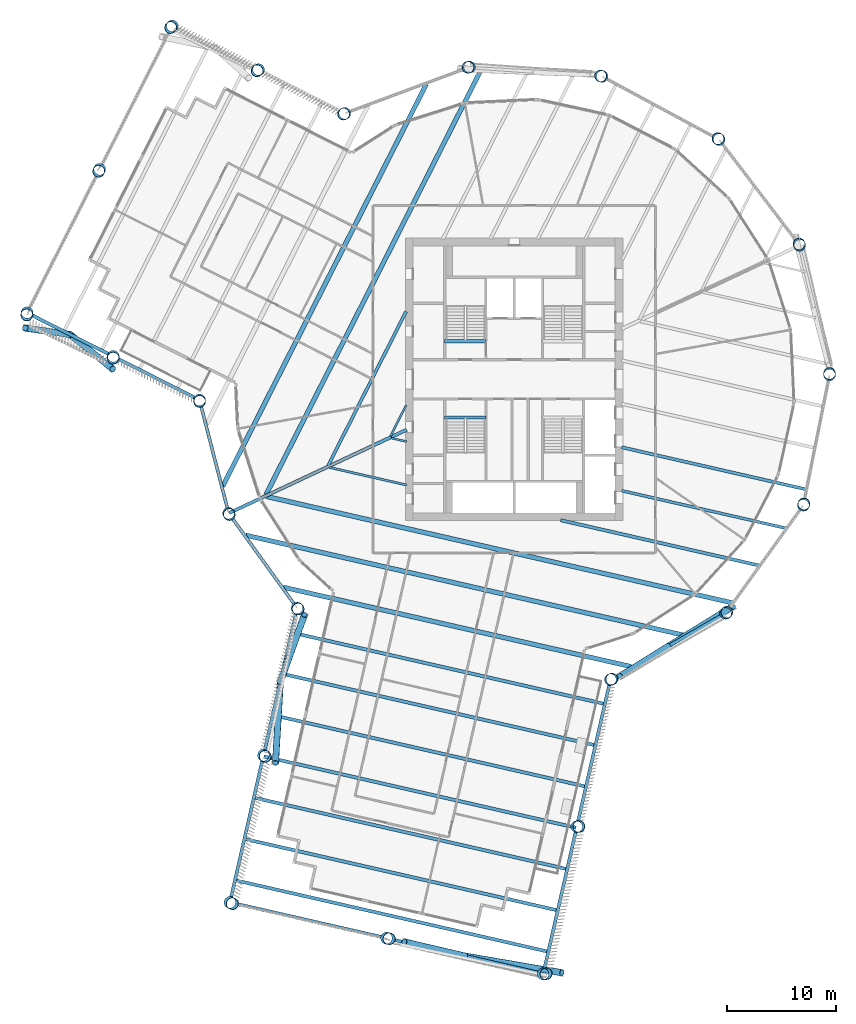
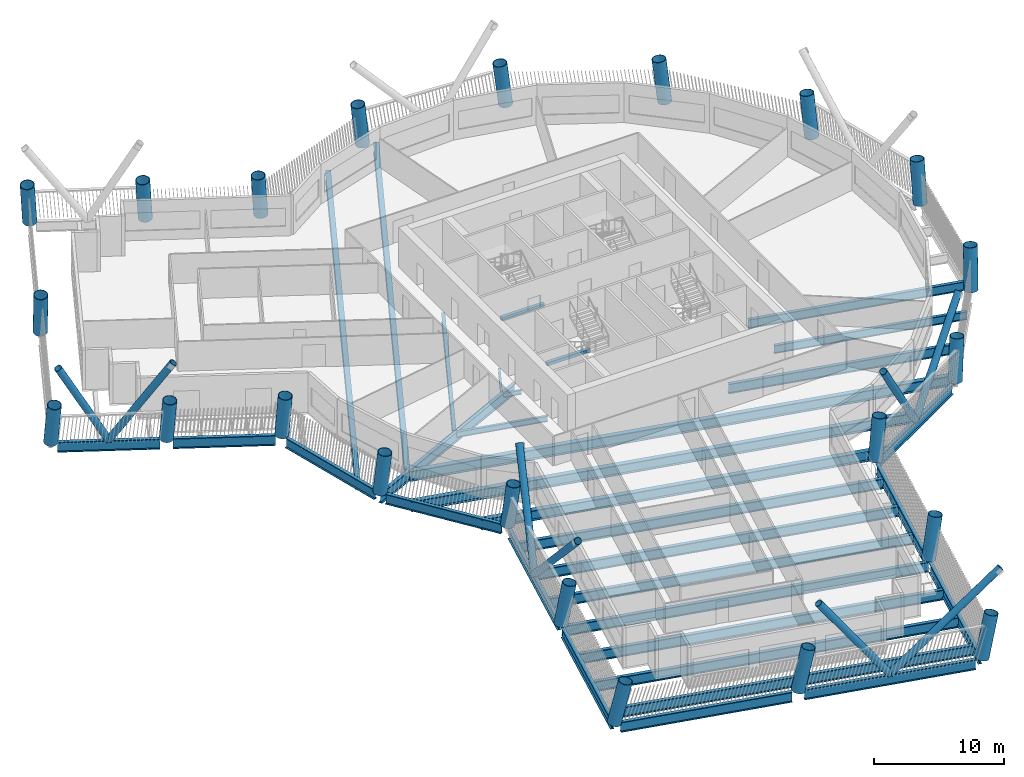
# One storey, part 1 of 21: 33 beams, 22 columns, 8 members.
"""IFC4 building model written with IfcOpenShell, lengths in metres."""

from ifc_helpers import new_model, si_unit, direction, frame, origin, origin_2d, place, context, subcontext, project, spatial, rectangle, hollow_circle, i_section, extrude, material, material_profile, profile_set, type_object, element, save


model = new_model("IFC4")

# Units and contexts
model_context = context("Model", 3, precision=1e-05, world=origin(), true_north=direction((0.0, 1.0)))
body_context = subcontext(model_context, "Body", "Model", "MODEL_VIEW")
ifc_project = project(units=[si_unit("LENGTHUNIT", "METRE"), si_unit("AREAUNIT", "SQUARE_METRE"), si_unit("VOLUMEUNIT", "CUBIC_METRE"), si_unit("PLANEANGLEUNIT", "RADIAN"), si_unit("MASSUNIT", "GRAM", prefix="KILO")], contexts=[model_context])

# Site, building, storey
site_placement = place(None, origin())
site = spatial("IfcSite", under=ifc_project, at=site_placement, CompositionType="ELEMENT")
building_placement = place(site_placement, origin())
building = spatial("IfcBuilding", under=site, at=building_placement, Name="Tarsis Ring Headquarters", CompositionType="ELEMENT")
storey_placement = place(building_placement, frame((0.0, 0.0, 171.0)))
storey = spatial("IfcBuildingStorey", under=building, at=storey_placement, Name="L39", CompositionType="ELEMENT", Elevation=171.0)

# Columns
ifc_material_1 = material(Name="Structural steel S355", Category="steel")
ifc_material_profile_1 = material_profile(ifc_material_1, hollow_circle(Radius=0.558837890625, WallThickness=0.044921875, at=origin_2d()), Name="CHS 1118x45")
ifc_profile_set_1 = profile_set([ifc_material_profile_1], Name="Structural steel S355")
column_type = type_object("IfcColumnType", Name="XC Exo column CHS 1118x45", PredefinedType="COLUMN", material=ifc_profile_set_1)
for number, where, z_axis, x_axis, name in (
    (1, (-26.296875, -12.3408203125, 0.0009765625), (0.050202371086, -0.104821555489, 0.993223118661), (0.901898576631, 0.431947864297, 0.0), "Exo column XC4 F1"),
    (2, (-19.991943359375, -21.07470703125, 0.0009765625), (0.084915058077, -0.079316263039, 0.993226239751), (0.682604325384, 0.730788160117, 0.0), "Exo column XC4 AK"),
):
    element("IfcColumn", number, at=place(storey_placement, frame(where, z_axis=z_axis, x_axis=x_axis)), inside=storey, type_object=column_type, Name=name, PredefinedType="COLUMN", context=body_context, shape_type="SweptSolid", body=[
        extrude(hollow_circle(Radius=0.558837890625, WallThickness=0.044921875, at=origin_2d()), origin(), (0.0, 0.0, 1.0), 3.924560546875),
    ])
column_1_placement = place(storey_placement, frame((-23.0859375, -34.628173828125, 0.001220703125), z_axis=(0.138261455544, -0.090629828098, 0.986240337935), x_axis=(0.548215579658, 0.836337060174, 0.0)))
element("IfcColumn", 3, at=column_1_placement, inside=storey, type_object=column_type, Name="Exo column XC4 AI1", PredefinedType="COLUMN", context=body_context, shape_type="SweptSolid", body=[
    extrude(hollow_circle(Radius=0.558837890625, WallThickness=0.044921875, at=origin_2d()), origin(), (0.0, 0.0, 1.0), 3.951904296875),
])
column_2_placement = place(storey_placement, frame((-26.18017578125, -48.181640625, 0.001708984375), z_axis=(0.190324495585, -0.101494162062, 0.976460711677), x_axis=(0.470544070685, 0.882376494215, 0.0)))
element("IfcColumn", 4, at=column_2_placement, inside=storey, type_object=column_type, Name="Exo column XC4 AT1", PredefinedType="COLUMN", context=body_context, shape_type="SweptSolid", body=[
    extrude(hollow_circle(Radius=0.558837890625, WallThickness=0.044921875, at=origin_2d()), origin(), (0.0, 0.0, 1.0), 3.99072265625),
])
column_3_placement = place(storey_placement, frame((-11.75146484375, -51.4755859375, 0.00146484375), z_axis=(0.203197031918, -0.044732760344, 0.978115507684), x_axis=(0.214996621949, 0.976614792306, 0.0)))
element("IfcColumn", 5, at=column_3_placement, inside=storey, type_object=column_type, Name="Exo column XC4 AT2", PredefinedType="COLUMN", context=body_context, shape_type="SweptSolid", body=[
    extrude(hollow_circle(Radius=0.558837890625, WallThickness=0.044921875, at=origin_2d()), origin(), (0.0, 0.0, 1.0), 3.984130859375),
])
column_4_placement = place(storey_placement, frame((2.677490234375, -54.76953125, 0.001708984375), z_axis=(0.215288163222, 0.012174579279, 0.976474672685), x_axis=(-0.056459951146, 0.99840486473, 0.0)))
element("IfcColumn", 6, at=column_4_placement, inside=storey, type_object=column_type, Name="Exo column XC4 AT3", PredefinedType="COLUMN", context=body_context, shape_type="SweptSolid", body=[
    extrude(hollow_circle(Radius=0.558837890625, WallThickness=0.044921875, at=origin_2d()), origin(), (0.0, 0.0, 1.0), 3.99072265625),
])
column_5_placement = place(storey_placement, frame((5.771484375, -41.216064453125, 0.001220703125), z_axis=(0.16352921988, 0.024217398637, 0.986241203686), x_axis=(-0.146494485399, 0.989211486866, 0.0)))
element("IfcColumn", 7, at=column_5_placement, inside=storey, type_object=column_type, Name="Exo column XC4 AO1", PredefinedType="COLUMN", context=body_context, shape_type="SweptSolid", body=[
    extrude(hollow_circle(Radius=0.558837890625, WallThickness=0.044921875, at=origin_2d()), origin(), (0.0, 0.0, 1.0), 3.951904296875),
])
for number, where, z_axis, x_axis, name in (
    (8, (8.86572265625, -27.66259765625, 0.0009765625), (0.110358624406, 0.036330009387, 0.993227619651), (-0.312691727218, 0.94985466453, 0.0), "Exo column XC4 AJ"),
    (9, (19.479736328125, -21.549072265625, 0.0009765625), (0.085598987216, 0.078631627792, 0.9932219694), (-0.676499797665, 0.736442817712, 0.0), "Exo column XC4 R1"),
    (10, (26.630126953125, -11.603759765625, 0.0009765625), (0.045599078408, 0.106874784045, 0.99322631086), (-0.919780744707, 0.392432646025, 0.0), "Exo column XC4 R2"),
    (11, (29.045654296875, 0.404541015625, 0.0009765625), (-0.002488360866, 0.116144243435, 0.993229239792), (-0.99977056912, -0.021419830083, 0.0), "Exo column XC4 R3"),
    (12, (26.296875, 12.3408203125, 0.0009765625), (-0.050202371086, 0.104821555489, 0.993223118661), (-0.901898576631, -0.431947864297, 0.0), "Exo column XC4 R4"),
    (13, (18.8720703125, 22.0830078125, 0.0009765625), (-0.088896768323, 0.074775308275, 0.993230093107), (-0.643706873525, -0.765272148309, 0.0), "Exo column XC4 R5"),
    (14, (8.092041015625, 27.898681640625, 0.0009765625), (-0.111851485258, 0.03147767049, 0.993226258969), (-0.270900614626, -0.962607322326, 0.0), "Exo column XC4 R6"),
    (15, (-4.126953125, 28.75390625, 0.0009765625), (-0.114899502736, -0.017418441129, 0.99322439669), (0.149884665205, -0.988703487976, 0.0), "Exo column XC4 R7"),
    (16, (-15.612060546875, 24.49658203125, 0.0009765625), (-0.097542684473, -0.063265886549, 0.993218431316), (0.544160568925, -0.838981093486, 0.0), "Exo column XC4 BJ"),
):
    element("IfcColumn", number, at=place(storey_placement, frame(where, z_axis=z_axis, x_axis=x_axis)), inside=storey, type_object=column_type, Name=name, PredefinedType="COLUMN", context=body_context, shape_type="SweptSolid", body=[
        extrude(hollow_circle(Radius=0.558837890625, WallThickness=0.044921875, at=origin_2d()), origin(), (0.0, 0.0, 1.0), 3.924560546875),
    ])
column_6_placement = place(storey_placement, frame((-23.553955078125, 28.5185546875, 0.001220703125), z_axis=(-0.112878754829, -0.0947264633, 0.989083052053), x_axis=(0.642827199598, -0.766011221496, 0.0)))
element("IfcColumn", 17, at=column_6_placement, inside=storey, type_object=column_type, Name="Exo column XC4 BO1", PredefinedType="COLUMN", context=body_context, shape_type="SweptSolid", body=[
    extrude(hollow_circle(Radius=0.558837890625, WallThickness=0.044921875, at=origin_2d()), origin(), (0.0, 0.0, 1.0), 3.940673828125),
])
column_7_placement = place(storey_placement, frame((-31.495849609375, 32.540771484375, 0.00146484375), z_axis=(-0.127939446888, -0.125844099492, 0.983765602445), x_axis=(0.701244698825, -0.712920663448, 0.0)))
element("IfcColumn", 18, at=column_7_placement, inside=storey, type_object=column_type, Name="Exo column XC4 BT3", PredefinedType="COLUMN", context=body_context, shape_type="SweptSolid", body=[
    extrude(hollow_circle(Radius=0.558837890625, WallThickness=0.044921875, at=origin_2d()), origin(), (0.0, 0.0, 1.0), 3.96142578125),
])
column_8_placement = place(storey_placement, frame((-38.1826171875, 19.33740234375, 0.001220703125), z_axis=(-0.075557902453, -0.152165220218, 0.985462708139), x_axis=(0.89565917028, -0.444741105243, 0.0)))
element("IfcColumn", 19, at=column_8_placement, inside=storey, type_object=column_type, Name="Exo column XC4 BT2", PredefinedType="COLUMN", context=body_context, shape_type="SweptSolid", body=[
    extrude(hollow_circle(Radius=0.558837890625, WallThickness=0.044921875, at=origin_2d()), origin(), (0.0, 0.0, 1.0), 3.954833984375),
])
column_9_placement = place(storey_placement, frame((-44.869384765625, 6.134033203125, 0.00146484375), z_axis=(-0.022863996595, -0.177981730908, 0.983768133822), x_axis=(0.991849421653, -0.127415559361, 0.0)))
element("IfcColumn", 20, at=column_9_placement, inside=storey, type_object=column_type, Name="Exo column XC4 BT1", PredefinedType="COLUMN", context=body_context, shape_type="SweptSolid", body=[
    extrude(hollow_circle(Radius=0.558837890625, WallThickness=0.044921875, at=origin_2d()), origin(), (0.0, 0.0, 1.0), 3.96142578125),
])
column_10_placement = place(storey_placement, frame((-36.927490234375, 2.112060546875, 0.001220703125), z_axis=(-0.007248504546, -0.147200400019, 0.989080128916), x_axis=(0.998789792282, -0.049182830681, 0.0)))
element("IfcColumn", 21, at=column_10_placement, inside=storey, type_object=column_type, Name="Exo column XC4 BI1", PredefinedType="COLUMN", context=body_context, shape_type="SweptSolid", body=[
    extrude(hollow_circle(Radius=0.558837890625, WallThickness=0.044921875, at=origin_2d()), origin(), (0.0, 0.0, 1.0), 3.940673828125),
])
column_11_placement = place(storey_placement, frame((-28.985595703125, -1.91015625, 0.0009765625), z_axis=(0.008522598879, -0.115894903002, 0.993224917512), x_axis=(0.997307049519, 0.073339273099, 0.0)))
element("IfcColumn", 22, at=column_11_placement, inside=storey, type_object=column_type, Name="Exo column XC4 BK", PredefinedType="COLUMN", context=body_context, shape_type="SweptSolid", body=[
    extrude(hollow_circle(Radius=0.558837890625, WallThickness=0.044921875, at=origin_2d()), origin(), (0.0, 0.0, 1.0), 3.924560546875),
])

# Beams
ifc_material_profile_2 = material_profile(ifc_material_1, i_section(OverallWidth=0.177734375, OverallDepth=0.406494140625, WebThickness=0.0078125, FlangeThickness=0.0126953125, at=origin_2d()), Name="W16x40")
ifc_profile_set_2 = profile_set([ifc_material_profile_2], Name="Structural steel S355")
beam_type_1 = type_object("IfcBeamType", Name="FB Floor beam W16x40", PredefinedType="JOIST", material=ifc_profile_set_2)
beam_1_placement = place(storey_placement, frame((-11.3212890625, -5.416015625, -0.36328125), z_axis=(0.97490325989, -0.222628915139, 0.0), x_axis=(0.222628915139, 0.97490325989, 0.0)))
element("IfcBeam", 23, at=beam_1_placement, inside=storey, type_object=beam_type_1, Name="Floor beam FB1", PredefinedType="JOIST", context=body_context, shape_type="SweptSolid", body=[
    extrude(i_section(OverallWidth=0.177734375, OverallDepth=0.406494140625, WebThickness=0.0078125, FlangeThickness=0.0126953125, at=origin_2d()), origin(), (0.0, 0.0, 1.0), 1.455322265625),
])
beam_2_placement = place(storey_placement, frame((-9.954833984375, -2.39208984375, -0.36328125), z_axis=(-0.451785095739, -0.892126799995, 0.0), x_axis=(0.892126799995, -0.451785095739, 0.0)))
element("IfcBeam", 24, at=beam_2_placement, inside=storey, type_object=beam_type_1, Name="Floor beam FB1", PredefinedType="JOIST", context=body_context, shape_type="SweptSolid", body=[
    extrude(i_section(OverallWidth=0.177734375, OverallDepth=0.406494140625, WebThickness=0.0078125, FlangeThickness=0.0126953125, at=origin_2d()), origin(), (0.0, 0.0, 1.0), 3.2001953125),
])
ifc_material_profile_3 = material_profile(ifc_material_1, i_section(OverallWidth=0.209228515625, OverallDepth=0.533447265625, WebThickness=0.01025390625, FlangeThickness=0.015625, at=origin_2d()), Name="W21x62")
ifc_profile_set_3 = profile_set([ifc_material_profile_3], Name="Structural steel S355")
beam_type_2 = type_object("IfcBeamType", Name="FB Floor beam W21x62", PredefinedType="JOIST", material=ifc_profile_set_3)
beam_3_placement = place(storey_placement, frame((-17.055908203125, -8.107177734375, -0.4267578125), z_axis=(0.974917327395, -0.222567303855, 0.0), x_axis=(0.222567303855, 0.974917327395, 0.0)))
element("IfcBeam", 25, at=beam_3_placement, inside=storey, type_object=beam_type_2, Name="Floor beam FB3", PredefinedType="JOIST", context=body_context, shape_type="SweptSolid", body=[
    extrude(i_section(OverallWidth=0.209228515625, OverallDepth=0.533447265625, WebThickness=0.01025390625, FlangeThickness=0.015625, at=origin_2d()), origin(), (0.0, 0.0, 1.0), 7.33740234375),
])
ifc_material_profile_4 = material_profile(ifc_material_1, i_section(OverallWidth=0.2666015625, OverallDepth=0.7568359375, WebThickness=0.013916015625, FlangeThickness=0.019287109375, at=origin_2d()), Name="W30x108")
ifc_profile_set_4 = profile_set([ifc_material_profile_4], Name="Structural steel S355")
beam_type_3 = type_object("IfcBeamType", Name="FB Floor beam W30x108", PredefinedType="JOIST", material=ifc_profile_set_4)
beam_4_placement = place(storey_placement, frame((9.902587890625, -10.261474609375, -0.538330078125), z_axis=(0.974918705559, -0.222561266961, 0.0), x_axis=(0.222561266961, 0.974918705559, 0.0)))
element("IfcBeam", 26, at=beam_4_placement, inside=storey, type_object=beam_type_3, Name="Floor beam FB6", PredefinedType="JOIST", context=body_context, shape_type="SweptSolid", body=[
    extrude(i_section(OverallWidth=0.2666015625, OverallDepth=0.7568359375, WebThickness=0.013916015625, FlangeThickness=0.019287109375, at=origin_2d()), origin(), (0.0, 0.0, 1.0), 15.52099609375),
])
ifc_material_profile_5 = material_profile(ifc_material_1, i_section(OverallWidth=0.2919921875, OverallDepth=0.835693359375, WebThickness=0.013916015625, FlangeThickness=0.018798828125, at=origin_2d()), Name="W33x118")
ifc_profile_set_5 = profile_set([ifc_material_profile_5], Name="Structural steel S355")
beam_type_4 = type_object("IfcBeamType", Name="FB Floor beam W33x118", PredefinedType="JOIST", material=ifc_profile_set_5)
beam_5_placement = place(storey_placement, frame((9.902587890625, -6.260986328125, -0.577880859375), z_axis=(0.974916458162, -0.222571111346, 0.0), x_axis=(0.222571111346, 0.974916458162, 0.0)))
element("IfcBeam", 27, at=beam_5_placement, inside=storey, type_object=beam_type_4, Name="Floor beam FB7", PredefinedType="JOIST", context=body_context, shape_type="SweptSolid", body=[
    extrude(i_section(OverallWidth=0.2919921875, OverallDepth=0.835693359375, WebThickness=0.013916015625, FlangeThickness=0.018798828125, at=origin_2d()), origin(), (0.0, 0.0, 1.0), 17.403564453125),
])
beam_6_placement = place(storey_placement, frame((-9.954833984375, 6.23974609375, -0.577880859375), z_axis=(-0.451810112988, -0.89211413048, 0.0), x_axis=(0.89211413048, -0.451810112988, 0.0)))
element("IfcBeam", 28, at=beam_6_placement, inside=storey, type_object=beam_type_4, Name="Floor beam FB7", PredefinedType="JOIST", context=body_context, shape_type="SweptSolid", body=[
    extrude(i_section(OverallWidth=0.2919921875, OverallDepth=0.835693359375, WebThickness=0.013916015625, FlangeThickness=0.018798828125, at=origin_2d()), origin(), (0.0, 0.0, 1.0), 15.892578125),
])
ifc_material_profile_6 = material_profile(ifc_material_1, i_section(OverallWidth=0.3046875, OverallDepth=0.904296875, WebThickness=0.01513671875, FlangeThickness=0.02001953125, at=origin_2d()), Name="W36x135")
ifc_profile_set_6 = profile_set([ifc_material_profile_6], Name="Structural steel S355")
beam_type_5 = type_object("IfcBeamType", Name="FB Floor beam W36x135", PredefinedType="JOIST", material=ifc_profile_set_6)
beam_7_placement = place(storey_placement, frame((4.2783203125, -12.977783203125, -0.612060546875), z_axis=(0.97491809318, -0.222563949439, 0.0), x_axis=(0.222563949439, 0.97491809318, 0.0)))
element("IfcBeam", 29, at=beam_7_placement, inside=storey, type_object=beam_type_5, Name="Floor beam FB8", PredefinedType="JOIST", context=body_context, shape_type="SweptSolid", body=[
    extrude(i_section(OverallWidth=0.3046875, OverallDepth=0.904296875, WebThickness=0.01513671875, FlangeThickness=0.02001953125, at=origin_2d()), origin(), (0.0, 0.0, 1.0), 18.755615234375),
])
ifc_material_profile_7 = material_profile(ifc_material_1, i_section(OverallWidth=0.309814453125, OverallDepth=0.949951171875, WebThickness=0.0244140625, FlangeThickness=0.0439453125, at=origin_2d()), Name="W36x256")
ifc_profile_set_7 = profile_set([ifc_material_profile_7], Name="Structural steel S355")
beam_type_6 = type_object("IfcBeamType", Name="FB Floor beam W36x256", PredefinedType="JOIST", material=ifc_profile_set_7)
beam_8_placement = place(storey_placement, frame((-20.451416015625, -23.33349609375, -0.635009765625), z_axis=(0.974917868015, -0.222564935749, 0.0), x_axis=(0.222564935749, 0.974917868015, 0.0)))
element("IfcBeam", 30, at=beam_8_placement, inside=storey, type_object=beam_type_6, Name="Floor beam FB11", PredefinedType="JOIST", context=body_context, shape_type="SweptSolid", body=[
    extrude(i_section(OverallWidth=0.309814453125, OverallDepth=0.949951171875, WebThickness=0.0244140625, FlangeThickness=0.0439453125, at=origin_2d()), origin(), (0.0, 0.0, 1.0), 29.490234375),
])
beam_9_placement = place(storey_placement, frame((-21.3193359375, -27.135498046875, -0.635009765625), z_axis=(0.97491566153, -0.222574600761, 0.0), x_axis=(0.222574600761, 0.97491566153, 0.0)))
element("IfcBeam", 31, at=beam_9_placement, inside=storey, type_object=beam_type_6, Name="Floor beam FB11", PredefinedType="JOIST", context=body_context, shape_type="SweptSolid", body=[
    extrude(i_section(OverallWidth=0.309814453125, OverallDepth=0.949951171875, WebThickness=0.0244140625, FlangeThickness=0.0439453125, at=origin_2d()), origin(), (0.0, 0.0, 1.0), 29.489990234375),
])
for number, where, z_axis, x_axis, name in (
    (32, (-22.1875, -30.937744140625, -0.635009765625), (0.97491607165, -0.222572804354, 0.0), (0.222572804354, 0.97491607165, 0.0), "Floor beam FB11"),
    (33, (-23.055419921875, -34.739990234375, -0.635009765625), (0.974917868015, -0.222564935749, 0.0), (0.222564935749, 0.974917868015, 0.0), "Floor beam FB11"),
):
    element("IfcBeam", number, at=place(storey_placement, frame(where, z_axis=z_axis, x_axis=x_axis)), inside=storey, type_object=beam_type_6, Name=name, PredefinedType="JOIST", context=body_context, shape_type="SweptSolid", body=[
        extrude(i_section(OverallWidth=0.309814453125, OverallDepth=0.949951171875, WebThickness=0.0244140625, FlangeThickness=0.0439453125, at=origin_2d()), origin(), (0.0, 0.0, 1.0), 29.490234375),
    ])
beam_10_placement = place(storey_placement, frame((-23.92333984375, -38.542236328125, -0.635009765625), z_axis=(0.974917457923, -0.2225667321, 0.0), x_axis=(0.2225667321, 0.974917457923, 0.0)))
element("IfcBeam", 34, at=beam_10_placement, inside=storey, type_object=beam_type_6, Name="Floor beam FB11", PredefinedType="JOIST", context=body_context, shape_type="SweptSolid", body=[
    extrude(i_section(OverallWidth=0.309814453125, OverallDepth=0.949951171875, WebThickness=0.0244140625, FlangeThickness=0.0439453125, at=origin_2d()), origin(), (0.0, 0.0, 1.0), 29.489990234375),
])
beam_11_placement = place(storey_placement, frame((-24.79150390625, -42.34423828125, -0.635009765625), z_axis=(0.97491607165, -0.222572804354, 0.0), x_axis=(0.222572804354, 0.97491607165, 0.0)))
element("IfcBeam", 35, at=beam_11_placement, inside=storey, type_object=beam_type_6, Name="Floor beam FB11", PredefinedType="JOIST", context=body_context, shape_type="SweptSolid", body=[
    extrude(i_section(OverallWidth=0.309814453125, OverallDepth=0.949951171875, WebThickness=0.0244140625, FlangeThickness=0.0439453125, at=origin_2d()), origin(), (0.0, 0.0, 1.0), 29.490234375),
])
beam_12_placement = place(storey_placement, frame((-25.659423828125, -46.146484375, -0.635009765625), z_axis=(0.974917457923, -0.2225667321, 0.0), x_axis=(0.2225667321, 0.974917457923, 0.0)))
element("IfcBeam", 36, at=beam_12_placement, inside=storey, type_object=beam_type_6, Name="Floor beam FB11", PredefinedType="JOIST", context=body_context, shape_type="SweptSolid", body=[
    extrude(i_section(OverallWidth=0.309814453125, OverallDepth=0.949951171875, WebThickness=0.0244140625, FlangeThickness=0.0439453125, at=origin_2d()), origin(), (0.0, 0.0, 1.0), 29.489990234375),
])
beam_type_7 = type_object("IfcBeamType", Name="FB Floor beam W36x256 spine", PredefinedType="BEAM", material=ifc_profile_set_7)
beam_13_placement = place(storey_placement, frame((-9.909423828125, -4.650390625, -0.635009765625), z_axis=(-0.905274750437, -0.424826583703, 0.0), x_axis=(0.424826583703, -0.905274750437, 0.0)))
element("IfcBeam", 37, at=beam_13_placement, inside=storey, type_object=beam_type_7, Name="Floor beam SB11", PredefinedType="BEAM", context=body_context, shape_type="SweptSolid", body=[
    extrude(i_section(OverallWidth=0.309814453125, OverallDepth=0.949951171875, WebThickness=0.0244140625, FlangeThickness=0.0439453125, at=origin_2d()), origin(), (0.0, 0.0, 1.0), 18.04443359375),
])
ifc_material_profile_8 = material_profile(ifc_material_1, i_section(OverallWidth=0.42431640625, OverallDepth=0.947509765625, WebThickness=0.02392578125, FlangeThickness=0.042724609375, at=origin_2d()), Name="W36x302")
ifc_profile_set_8 = profile_set([ifc_material_profile_8], Name="Structural steel S355")
beam_type_8 = type_object("IfcBeamType", Name="FB Floor beam W36x302", PredefinedType="JOIST", material=ifc_profile_set_8)
beam_14_placement = place(storey_placement, frame((-22.79052734375, -10.79833984375, -0.6337890625), z_axis=(0.974917033503, -0.222568591195, 0.0), x_axis=(0.222568591195, 0.974917033503, 0.0)))
element("IfcBeam", 38, at=beam_14_placement, inside=storey, type_object=beam_type_8, Name="Floor beam FB12", PredefinedType="JOIST", context=body_context, shape_type="SweptSolid", body=[
    extrude(i_section(OverallWidth=0.42431640625, OverallDepth=0.947509765625, WebThickness=0.02392578125, FlangeThickness=0.042724609375, at=origin_2d()), origin(), (0.0, 0.0, 1.0), 43.986572265625),
])
beam_15_placement = place(storey_placement, frame((-24.73291015625, -14.355224609375, -0.6337890625), z_axis=(0.974916675789, -0.22257015808, 0.0), x_axis=(0.22257015808, 0.974916675789, 0.0)))
element("IfcBeam", 39, at=beam_15_placement, inside=storey, type_object=beam_type_8, Name="Floor beam FB12", PredefinedType="JOIST", context=body_context, shape_type="SweptSolid", body=[
    extrude(i_section(OverallWidth=0.42431640625, OverallDepth=0.947509765625, WebThickness=0.02392578125, FlangeThickness=0.042724609375, at=origin_2d()), origin(), (0.0, 0.0, 1.0), 41.523681640625),
])
beam_16_placement = place(storey_placement, frame((-21.275146484375, -19.14501953125, -0.6337890625), z_axis=(0.97491631656, -0.222571731594, 0.0), x_axis=(0.222571731594, 0.97491631656, 0.0)))
element("IfcBeam", 40, at=beam_16_placement, inside=storey, type_object=beam_type_8, Name="Floor beam FB12", PredefinedType="JOIST", context=body_context, shape_type="SweptSolid", body=[
    extrude(i_section(OverallWidth=0.42431640625, OverallDepth=0.947509765625, WebThickness=0.02392578125, FlangeThickness=0.042724609375, at=origin_2d()), origin(), (0.0, 0.0, 1.0), 32.87548828125),
])
beam_17_placement = place(storey_placement, frame((-2.99609375, 28.61181640625, -0.6337890625), z_axis=(-0.451812209867, -0.892113068515, 0.0), x_axis=(0.892113068515, -0.451812209867, 0.0)))
element("IfcBeam", 41, at=beam_17_placement, inside=storey, type_object=beam_type_8, Name="Floor beam FB12", PredefinedType="JOIST", context=body_context, shape_type="SweptSolid", body=[
    extrude(i_section(OverallWidth=0.42431640625, OverallDepth=0.947509765625, WebThickness=0.02392578125, FlangeThickness=0.042724609375, at=origin_2d()), origin(), (0.0, 0.0, 1.0), 43.98681640625),
])
beam_18_placement = place(storey_placement, frame((-8.0859375, 27.193603515625, -0.6337890625), z_axis=(-0.451812516829, -0.892112913053, 0.0), x_axis=(0.892112913053, -0.451812516829, 0.0)))
element("IfcBeam", 42, at=beam_18_placement, inside=storey, type_object=beam_type_8, Name="Floor beam FB12", PredefinedType="JOIST", context=body_context, shape_type="SweptSolid", body=[
    extrude(i_section(OverallWidth=0.42431640625, OverallDepth=0.947509765625, WebThickness=0.02392578125, FlangeThickness=0.042724609375, at=origin_2d()), origin(), (0.0, 0.0, 1.0), 41.52392578125),
])
ifc_material_2 = material(Name="Concrete C40/50", Category="concrete")
ifc_material_profile_9 = material_profile(ifc_material_2, rectangle(XDim=0.300048828125, YDim=0.300048828125, at=origin_2d()), Name="Stair head beam 300x300 C40/50")
ifc_profile_set_9 = profile_set([ifc_material_profile_9], Name="Concrete C40/50")
beam_type_9 = type_object("IfcBeamType", Name="Stair head beam 300x300 C40/50", PredefinedType="BEAM", material=ifc_profile_set_9)
for number, where, z_axis, x_axis, name in (
    (43, (-6.39990234375, 3.510009765625, -0.31005859375), (1.0, 0.0, 0.0), (0.0, 1.0, 0.0), "Stair head beam L39 Firefighting stair"),
    (44, (-6.39990234375, -3.510009765625, -0.31005859375), (1.0, 0.0, 0.0), (0.0, 1.0, 0.0), "Stair head beam L39 Exit stair C"),
):
    element("IfcBeam", number, at=place(storey_placement, frame(where, z_axis=z_axis, x_axis=x_axis)), inside=storey, type_object=beam_type_9, Name=name, PredefinedType="BEAM", context=body_context, shape_type="SweptSolid", body=[
        extrude(rectangle(XDim=0.300048828125, YDim=0.300048828125, at=origin_2d()), origin(), (0.0, 0.0, 1.0), 3.7998046875),
    ])

# Members
ifc_material_profile_10 = material_profile(ifc_material_1, hollow_circle(Radius=0.3046875, WallThickness=0.02490234375, at=origin_2d()), Name="CHS 610x25")
ifc_profile_set_10 = profile_set([ifc_material_profile_10], Name="Structural steel S355")
member_type = type_object("IfcMemberType", Name="XD X brace CHS 610x25", PredefinedType="BRACE", material=ifc_profile_set_10)
member_1_placement = place(storey_placement, frame((-21.5390625, -27.851318359375, 0.0), z_axis=(-0.041405997291, -0.691784776544, 0.720915644393), x_axis=(0.998213555522, -0.059746946128, 0.0)))
element("IfcMember", 45, at=member_1_placement, inside=storey, type_object=member_type, Name="X brace XD1", PredefinedType="BRACE", context=body_context, shape_type="SweptSolid", body=[
    extrude(hollow_circle(Radius=0.3046875, WallThickness=0.02490234375, at=origin_2d()), origin(), (0.0, 0.0, 1.0), 10.819580078125),
])
member_2_placement = place(storey_placement, frame((-21.5390625, -27.851318359375, 0.0), z_axis=(0.217904589287, 0.60482968187, 0.765962561681), x_axis=(-0.940805140788, 0.338947912027, 0.0)))
element("IfcMember", 46, at=member_2_placement, inside=storey, type_object=member_type, Name="X brace XD1", PredefinedType="BRACE", context=body_context, shape_type="SweptSolid", body=[
    extrude(hollow_circle(Radius=0.3046875, WallThickness=0.02490234375, at=origin_2d()), origin(), (0.0, 0.0, 1.0), 10.183349609375),
])
member_3_placement = place(storey_placement, frame((-4.537353515625, -53.12255859375, 0.0), z_axis=(0.747041619849, -0.128433505424, 0.652252752311), x_axis=(0.169436996172, 0.985541021129, 0.0)))
element("IfcMember", 47, at=member_3_placement, inside=storey, type_object=member_type, Name="X brace XD1", PredefinedType="BRACE", context=body_context, shape_type="SweptSolid", body=[
    extrude(hollow_circle(Radius=0.3046875, WallThickness=0.02490234375, at=origin_2d()), origin(), (0.0, 0.0, 1.0), 11.958740234375),
])
member_4_placement = place(storey_placement, frame((-4.537353515625, -53.12255859375, 0.0), z_axis=(-0.577324950638, 0.134557070537, 0.805351039075), x_axis=(-0.226986301463, -0.973897950993, 0.0)))
element("IfcMember", 48, at=member_4_placement, inside=storey, type_object=member_type, Name="X brace XD1", PredefinedType="BRACE", context=body_context, shape_type="SweptSolid", body=[
    extrude(hollow_circle(Radius=0.3046875, WallThickness=0.02490234375, at=origin_2d()), origin(), (0.0, 0.0, 1.0), 9.685302734375),
])
member_5_placement = place(storey_placement, frame((14.172607421875, -24.605712890625, 0.0), z_axis=(0.569451415833, 0.350685825533, 0.743467912405), x_axis=(-0.524373076714, 0.851488623774, 0.0)))
element("IfcMember", 49, at=member_5_placement, inside=storey, type_object=member_type, Name="X brace XD1", PredefinedType="BRACE", context=body_context, shape_type="SweptSolid", body=[
    extrude(hollow_circle(Radius=0.3046875, WallThickness=0.02490234375, at=origin_2d()), origin(), (0.0, 0.0, 1.0), 10.491455078125),
])
member_6_placement = place(storey_placement, frame((14.172607421875, -24.605712890625, 0.0), z_axis=(-0.47299213113, -0.294343182553, 0.830445985464), x_axis=(0.528349722782, -0.849026837289, 0.0)))
element("IfcMember", 50, at=member_6_placement, inside=storey, type_object=member_type, Name="X brace XD1", PredefinedType="BRACE", context=body_context, shape_type="SweptSolid", body=[
    extrude(hollow_circle(Radius=0.3046875, WallThickness=0.02490234375, at=origin_2d()), origin(), (0.0, 0.0, 1.0), 9.392578125),
])
member_7_placement = place(storey_placement, frame((-40.8984375, 4.123291015625, 0.0), z_axis=(0.422295977866, -0.341479439906, 0.839677258951), x_axis=(0.628776317335, 0.777586228503, 0.0)))
element("IfcMember", 51, at=member_7_placement, inside=storey, type_object=member_type, Name="X brace XD1", PredefinedType="BRACE", context=body_context, shape_type="SweptSolid", body=[
    extrude(hollow_circle(Radius=0.3046875, WallThickness=0.02490234375, at=origin_2d()), origin(), (0.0, 0.0, 1.0), 9.289306640625),
])
member_8_placement = place(storey_placement, frame((-40.8984375, 4.123291015625, 0.0), z_axis=(-0.467867967988, 0.067630269263, 0.881206962756), x_axis=(-0.143063002227, -0.989713583515, 0.0)))
element("IfcMember", 52, at=member_8_placement, inside=storey, type_object=member_type, Name="X brace XD1", PredefinedType="BRACE", context=body_context, shape_type="SweptSolid", body=[
    extrude(hollow_circle(Radius=0.3046875, WallThickness=0.02490234375, at=origin_2d()), origin(), (0.0, 0.0, 1.0), 8.8515625),
])

# Beams
beam_type_10 = type_object("IfcBeamType", Name="XG Ring girder W36x256", PredefinedType="BEAM", material=ifc_profile_set_7)
beam_19_placement = place(storey_placement, frame((-26.00244140625, -12.74853515625, -0.47509765625), z_axis=(0.585312551632, -0.810807755823, 0.0), x_axis=(0.810807755823, 0.585312551632, 0.0)))
element("IfcBeam", 53, at=beam_19_placement, inside=storey, type_object=beam_type_10, Name="Ring girder XG2", PredefinedType="BEAM", context=body_context, shape_type="SweptSolid", body=[
    extrude(i_section(OverallWidth=0.309814453125, OverallDepth=0.949951171875, WebThickness=0.0244140625, FlangeThickness=0.0439453125, at=origin_2d()), origin(), (0.0, 0.0, 1.0), 9.765869140625),
])
for number, where, z_axis, x_axis, name in (
    (54, (-20.10400390625, -21.56494140625, -0.47509765625), (-0.22257343142, -0.974915928491, 0.0), (0.974915928491, -0.22257343142, 0.0), "Ring girder XG2"),
    (55, (-23.1982421875, -35.118408203125, -0.47509765625), (-0.22257343142, -0.974915928491, 0.0), (0.974915928491, -0.22257343142, 0.0), "Ring girder XG2"),
):
    element("IfcBeam", number, at=place(storey_placement, frame(where, z_axis=z_axis, x_axis=x_axis)), inside=storey, type_object=beam_type_10, Name=name, PredefinedType="BEAM", context=body_context, shape_type="SweptSolid", body=[
        extrude(i_section(OverallWidth=0.309814453125, OverallDepth=0.949951171875, WebThickness=0.0244140625, FlangeThickness=0.0439453125, at=origin_2d()), origin(), (0.0, 0.0, 1.0), 12.896240234375),
    ])
for number, where, z_axis, x_axis, name in (
    (56, (-25.690185546875, -48.29345703125, -0.47509765625), (0.974914715893, -0.222578742776, 0.0), (0.222578742776, 0.974914715893, 0.0), "Ring girder XG2"),
    (57, (-11.261474609375, -51.587646484375, -0.47509765625), (0.974918556295, -0.222561920801, 0.0), (0.222561920801, 0.974918556295, 0.0), "Ring girder XG2"),
):
    element("IfcBeam", number, at=place(storey_placement, frame(where, z_axis=z_axis, x_axis=x_axis)), inside=storey, type_object=beam_type_10, Name=name, PredefinedType="BEAM", context=body_context, shape_type="SweptSolid", body=[
        extrude(i_section(OverallWidth=0.309814453125, OverallDepth=0.949951171875, WebThickness=0.0244140625, FlangeThickness=0.0439453125, at=origin_2d()), origin(), (0.0, 0.0, 1.0), 13.794189453125),
    ])
for number, where, z_axis, x_axis, name in (
    (58, (2.7890625, -54.279296875, -0.47509765625), (0.222569323618, 0.974916866294, 0.0), (-0.974916866294, 0.222569323618, 0.0), "Ring girder XG2"),
    (59, (5.88330078125, -40.725830078125, -0.47509765625), (0.222569323618, 0.974916866294, 0.0), (-0.974916866294, 0.222569323618, 0.0), "Ring girder XG2"),
):
    element("IfcBeam", number, at=place(storey_placement, frame(where, z_axis=z_axis, x_axis=x_axis)), inside=storey, type_object=beam_type_10, Name=name, PredefinedType="BEAM", context=body_context, shape_type="SweptSolid", body=[
        extrude(i_section(OverallWidth=0.309814453125, OverallDepth=0.949951171875, WebThickness=0.0244140625, FlangeThickness=0.0439453125, at=origin_2d()), origin(), (0.0, 0.0, 1.0), 12.896484375),
    ])
beam_20_placement = place(storey_placement, frame((9.30126953125, -27.41162109375, -0.47509765625), z_axis=(0.866534235794, 0.499117639637, 0.0), x_axis=(-0.499117639637, 0.866534235794, 0.0)))
element("IfcBeam", 60, at=beam_20_placement, inside=storey, type_object=beam_type_10, Name="Ring girder XG2", PredefinedType="BEAM", context=body_context, shape_type="SweptSolid", body=[
    extrude(i_section(OverallWidth=0.309814453125, OverallDepth=0.949951171875, WebThickness=0.0244140625, FlangeThickness=0.0439453125, at=origin_2d()), origin(), (0.0, 0.0, 1.0), 11.242919921875),
])
beam_21_placement = place(storey_placement, frame((-44.420654296875, 5.906982421875, -0.47509765625), z_axis=(0.892115041428, -0.451808314285, 0.0), x_axis=(0.451808314285, 0.892115041428, 0.0)))
element("IfcBeam", 61, at=beam_21_placement, inside=storey, type_object=beam_type_10, Name="Ring girder XG2", PredefinedType="BEAM", context=body_context, shape_type="SweptSolid", body=[
    extrude(i_section(OverallWidth=0.309814453125, OverallDepth=0.949951171875, WebThickness=0.0244140625, FlangeThickness=0.0439453125, at=origin_2d()), origin(), (0.0, 0.0, 1.0), 7.896240234375),
])
beam_22_placement = place(storey_placement, frame((-36.478759765625, 1.885009765625, -0.47509765625), z_axis=(0.892102579201, -0.45183292065, 0.0), x_axis=(0.45183292065, 0.892102579201, 0.0)))
element("IfcBeam", 62, at=beam_22_placement, inside=storey, type_object=beam_type_10, Name="Ring girder XG2", PredefinedType="BEAM", context=body_context, shape_type="SweptSolid", body=[
    extrude(i_section(OverallWidth=0.309814453125, OverallDepth=0.949951171875, WebThickness=0.0244140625, FlangeThickness=0.0439453125, at=origin_2d()), origin(), (0.0, 0.0, 1.0), 7.896484375),
])
beam_23_placement = place(storey_placement, frame((-28.860107421875, -2.39697265625, -0.47509765625), z_axis=(0.249617164484, -0.968344603535, 0.0), x_axis=(0.968344603535, 0.249617164484, 0.0)))
element("IfcBeam", 63, at=beam_23_placement, inside=storey, type_object=beam_type_10, Name="Ring girder XG2", PredefinedType="BEAM", context=body_context, shape_type="SweptSolid", body=[
    extrude(i_section(OverallWidth=0.309814453125, OverallDepth=0.949951171875, WebThickness=0.0244140625, FlangeThickness=0.0439453125, at=origin_2d()), origin(), (0.0, 0.0, 1.0), 9.765869140625),
])

save(model, "model.ifc")
